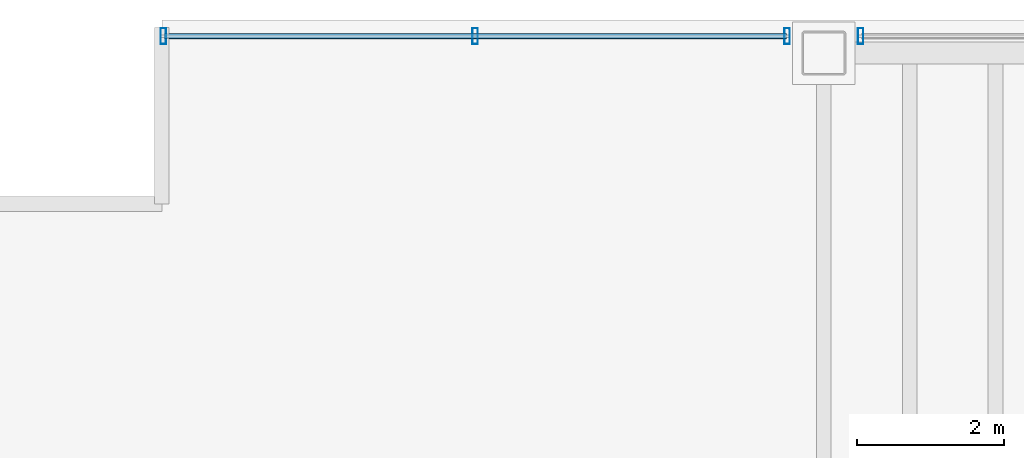
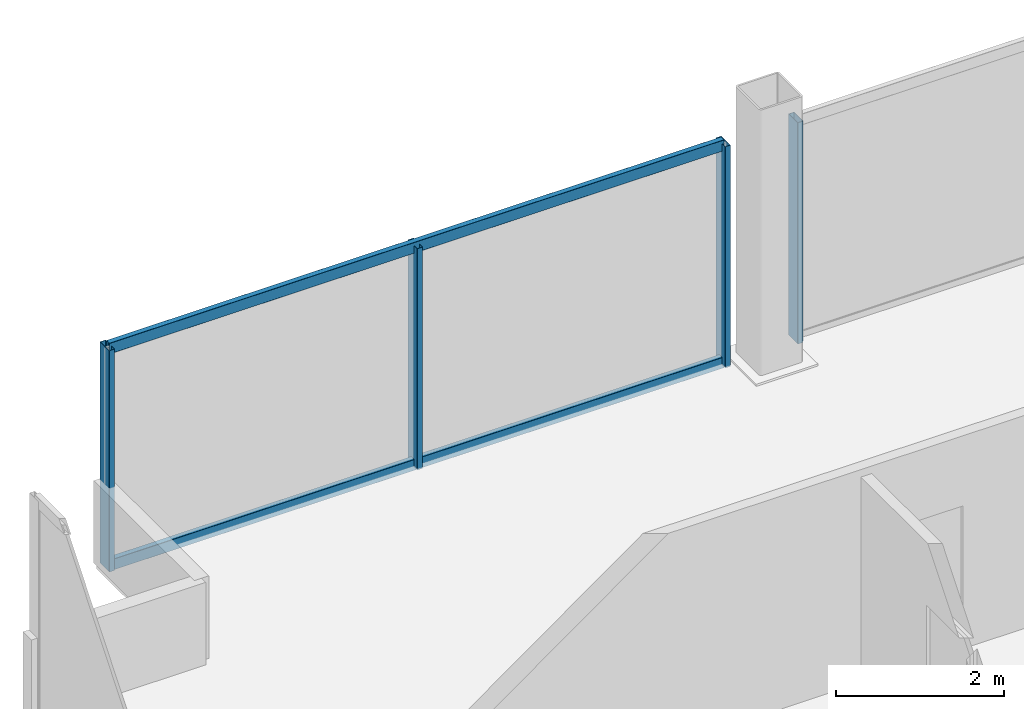
# One storey, part 14 of 21: 6 members, 2 elements without a shape of their own.
"""IFC4 building model written with IfcOpenShell, lengths in metres."""

from ifc_helpers import new_model, si_unit, direction, frame, origin, origin_2d, place, context, subcontext, project, spatial, hollow_rectangle, extrude, material, material_profile, profile_set, type_object, element, aggregate, save


model = new_model("IFC4")

# Units and contexts
model_context = context("Model", 3, precision=1e-05, world=origin(), true_north=direction((0.0, 1.0)))
body_context = subcontext(model_context, "Body", "Model", "MODEL_VIEW")
ifc_project = project(units=[si_unit("LENGTHUNIT", "METRE"), si_unit("AREAUNIT", "SQUARE_METRE"), si_unit("VOLUMEUNIT", "CUBIC_METRE"), si_unit("PLANEANGLEUNIT", "RADIAN"), si_unit("MASSUNIT", "GRAM", prefix="KILO")], contexts=[model_context])

# Site, building, storey
site_placement = place(None, origin())
site = spatial("IfcSite", under=ifc_project, at=site_placement, CompositionType="ELEMENT")
building_placement = place(site_placement, origin())
building = spatial("IfcBuilding", under=site, at=building_placement, Name="Noeulbin Bourse Tower", CompositionType="ELEMENT")
storey_placement = place(building_placement, frame((0.0, 0.0, 30.39990234375)))
storey = spatial("IfcBuildingStorey", under=building, at=storey_placement, Name="L07", CompositionType="ELEMENT", Elevation=30.39990234375)

# Curtain wall, members
ifc_material_1 = material(Name="Dark Solar-Control Double Glazing", Category="glass")
curtain_wall_type = type_object("IfcCurtainWallType", Name="CW-SYS-2", PredefinedType="NOTDEFINED", material=ifc_material_1)
curtain_wall_1_placement = place(storey_placement, origin())
curtain_wall_1 = element("IfcCurtainWall", 1, at=curtain_wall_1_placement, inside=storey, type_object=curtain_wall_type, Name="Unitised Curtain Wall CW-L07-N-S1", PredefinedType="NOTDEFINED")
ifc_material_2 = material(Name="Anodised Aluminium 6063-T6", Category="aluminium")
ifc_material_profile_1 = material_profile(ifc_material_2, hollow_rectangle(XDim=0.074951171875, YDim=0.219970703125, WallThickness=0.0048828125, InnerFilletRadius=0.00244140625, OuterFilletRadius=0.0048828125, at=origin_2d()), Name="ALU-MULL-75x220x5", Category="LoadBearing")
ifc_profile_set_1 = profile_set([ifc_material_profile_1], Name="Anodised Aluminium 6063-T6")
member_type_1 = type_object("IfcMemberType", Name="CW-SYS-2-MUL", PredefinedType="MULLION", material=ifc_profile_set_1)
member_1_placement = place(storey_placement, frame((4.52001953125, 46.780029296875, -0.02001953125), z_axis=(0.0, 0.0, 1.0), x_axis=(1.0, 0.0, 0.0)))
member_1 = element("IfcMember", 2, at=member_1_placement, type_object=member_type_1, Name="Curtain Wall Mullion CW-L07-N-S1-M00", PredefinedType="MULLION", context=body_context, shape_type="SweptSolid", body=[
    extrude(hollow_rectangle(XDim=0.074951171875, YDim=0.219970703125, WallThickness=0.0048828125, InnerFilletRadius=0.00244140625, OuterFilletRadius=0.0048828125, at=origin_2d()), origin(), (0.0, 0.0, 1.0), 3.22021484375),
])
member_2_placement = place(storey_placement, frame((8.760009765625, 46.780029296875, -0.02001953125), z_axis=(0.0, 0.0, 1.0), x_axis=(1.0, 0.0, 0.0)))
member_2 = element("IfcMember", 3, at=member_2_placement, type_object=member_type_1, Name="Curtain Wall Mullion CW-L07-N-S1-M01", PredefinedType="MULLION", context=body_context, shape_type="SweptSolid", body=[
    extrude(hollow_rectangle(XDim=0.074951171875, YDim=0.219970703125, WallThickness=0.0048828125, InnerFilletRadius=0.00244140625, OuterFilletRadius=0.0048828125, at=origin_2d()), origin(), (0.0, 0.0, 1.0), 3.22021484375),
])
member_3_placement = place(storey_placement, frame((13.0, 46.780029296875, -0.02001953125), z_axis=(0.0, 0.0, 1.0), x_axis=(1.0, 0.0, 0.0)))
member_3 = element("IfcMember", 4, at=member_3_placement, type_object=member_type_1, Name="Curtain Wall Mullion CW-L07-N-S1-M02", PredefinedType="MULLION", context=body_context, shape_type="SweptSolid", body=[
    extrude(hollow_rectangle(XDim=0.074951171875, YDim=0.219970703125, WallThickness=0.0048828125, InnerFilletRadius=0.00244140625, OuterFilletRadius=0.0048828125, at=origin_2d()), origin(), (0.0, 0.0, 1.0), 3.22021484375),
])

# Curtain wall, member
curtain_wall_2_placement = place(storey_placement, origin())
curtain_wall_2 = element("IfcCurtainWall", 5, at=curtain_wall_2_placement, inside=storey, type_object=curtain_wall_type, Name="Unitised Curtain Wall CW-L07-N-S2", PredefinedType="NOTDEFINED")
member_4_placement = place(storey_placement, frame((14.0, 46.780029296875, -0.02001953125), z_axis=(0.0, 0.0, 1.0), x_axis=(1.0, 0.0, 0.0)))
member_4 = element("IfcMember", 6, at=member_4_placement, type_object=member_type_1, Name="Curtain Wall Mullion CW-L07-N-S2-M00", PredefinedType="MULLION", context=body_context, shape_type="SweptSolid", body=[
    extrude(hollow_rectangle(XDim=0.074951171875, YDim=0.219970703125, WallThickness=0.0048828125, InnerFilletRadius=0.00244140625, OuterFilletRadius=0.0048828125, at=origin_2d()), origin(), (0.0, 0.0, 1.0), 3.22021484375),
])
aggregate(curtain_wall_2, [member_4])

# Member
ifc_material_profile_2 = material_profile(ifc_material_2, hollow_rectangle(XDim=0.074951171875, YDim=0.159912109375, WallThickness=0.0048828125, InnerFilletRadius=0.00244140625, OuterFilletRadius=0.0048828125, at=origin_2d()), Name="ALU-TRAN-75x160x5", Category="LoadBearing")
ifc_profile_set_2 = profile_set([ifc_material_profile_2], Name="Anodised Aluminium 6063-T6")
member_type_2 = type_object("IfcMemberType", Name="CW-SYS-2-TRN", PredefinedType="USERDEFINED", material=ifc_profile_set_2)
member_5_placement = place(storey_placement, frame((4.530029296875, 46.780029296875, 0.010009765625), z_axis=(1.0, 0.0, 0.0), x_axis=(0.0, 1.0, 0.0)))
member_5 = element("IfcMember", 7, at=member_5_placement, type_object=member_type_2, Name="Curtain Wall Transom CW-L07-N-S1-T00", ObjectType="TRANSOM", PredefinedType="USERDEFINED", context=body_context, shape_type="SweptSolid", body=[
    extrude(hollow_rectangle(XDim=0.074951171875, YDim=0.159912109375, WallThickness=0.0048828125, InnerFilletRadius=0.00244140625, OuterFilletRadius=0.0048828125, at=origin_2d()), origin(), (0.0, 0.0, 1.0), 8.4599609375),
])

member_6_placement = place(storey_placement, frame((4.530029296875, 46.780029296875, 3.170166015625), z_axis=(1.0, 0.0, 0.0), x_axis=(0.0, 1.0, 0.0)))
member_6 = element("IfcMember", 8, at=member_6_placement, type_object=member_type_2, Name="Curtain Wall Transom CW-L07-N-S1-T01", ObjectType="TRANSOM", PredefinedType="USERDEFINED", context=body_context, shape_type="SweptSolid", body=[
    extrude(hollow_rectangle(XDim=0.074951171875, YDim=0.159912109375, WallThickness=0.0048828125, InnerFilletRadius=0.00244140625, OuterFilletRadius=0.0048828125, at=origin_2d()), origin(), (0.0, 0.0, 1.0), 8.4599609375),
])

aggregate(curtain_wall_1, [member_1, member_2, member_3, member_5, member_6])

save(model, "model.ifc")
